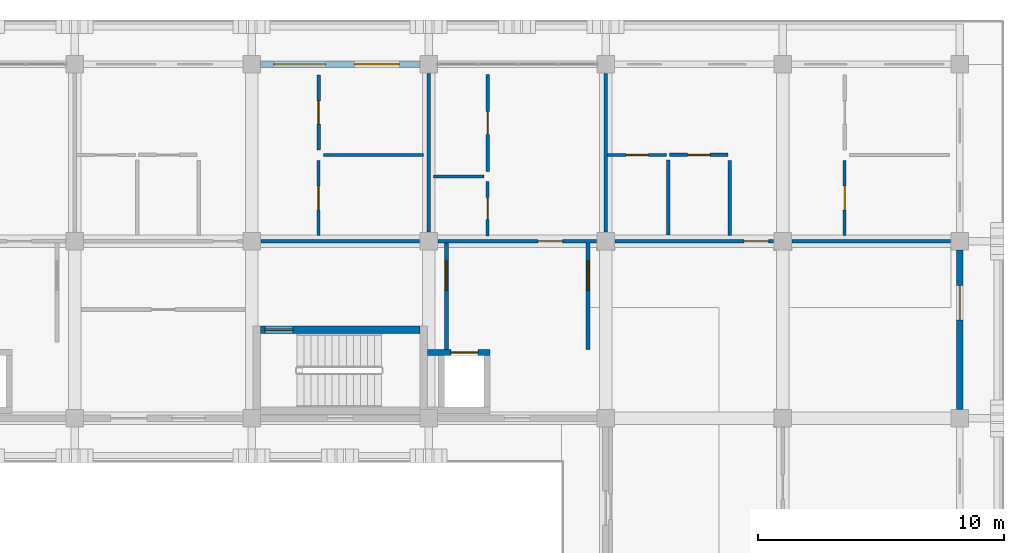
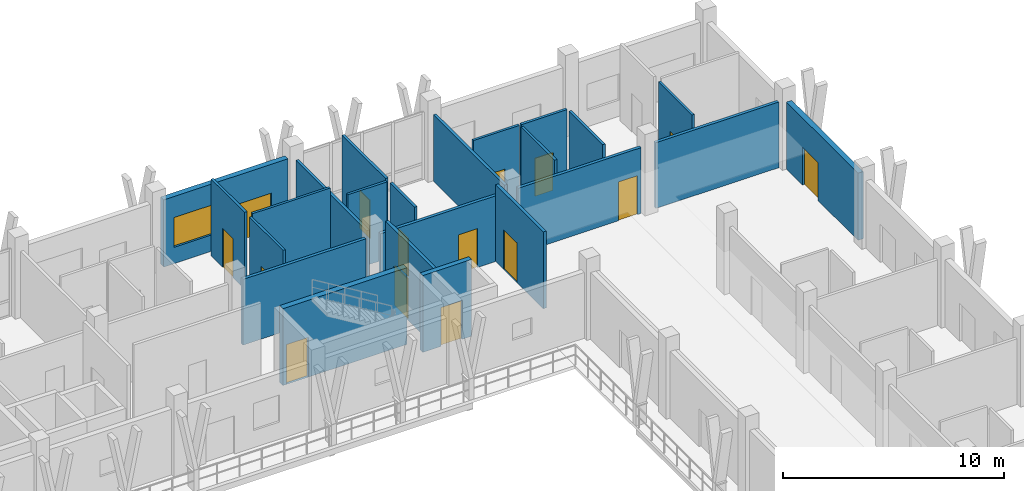
# One storey, part 90 of 110: 23 walls, 15 doors, 1 window, 16 openings.
"""IFC4 building model written with IfcOpenShell, lengths in metres."""

from ifc_helpers import new_model, si_unit, direction, frame, frame_2d, origin, place, context, subcontext, project, spatial, rectangle, extrude, material, layer, layer_set, type_object, element, fill, save


model = new_model("IFC4")

# Units and contexts
model_context = context("Model", 3, precision=1e-05, world=origin(), true_north=direction((0.0, 1.0)))
body_context = subcontext(model_context, "Body", "Model", "MODEL_VIEW")
ifc_project = project(units=[si_unit("LENGTHUNIT", "METRE"), si_unit("AREAUNIT", "SQUARE_METRE"), si_unit("VOLUMEUNIT", "CUBIC_METRE"), si_unit("PLANEANGLEUNIT", "RADIAN"), si_unit("MASSUNIT", "GRAM", prefix="KILO")], contexts=[model_context])

# Site, building, storey
site_placement = place(None, origin())
site = spatial("IfcSite", under=ifc_project, at=site_placement, CompositionType="ELEMENT")
building_placement = place(site_placement, origin())
building = spatial("IfcBuilding", under=site, at=building_placement, Name="Suanplinth Sawtooth Commons", CompositionType="ELEMENT")
storey_placement = place(building_placement, frame((0.0, 0.0, 4.5)))
storey = spatial("IfcBuildingStorey", under=building, at=storey_placement, Name="L01", CompositionType="ELEMENT", Elevation=4.5)

# Wall, opening, door
ifc_material_1 = material(Name="Concrete C40/50", Category="concrete")
ifc_layer_1 = layer(ifc_material_1, 0.300048828125, Name="Standard RC stair and lift core wall 300mm")
ifc_layer_set_1 = layer_set([ifc_layer_1], Name="Concrete C40/50")
wall_type_1 = type_object("IfcWallType", Name="W-CR02", PredefinedType="SHEAR", material=ifc_layer_set_1)
wall_1_placement = place(storey_placement, frame((158.75, 111.60009765625, 0.0), z_axis=(0.0, 0.0, 1.0), x_axis=(1.0, 0.0, 0.0)))
wall_1 = element("IfcWall", 1, at=wall_1_placement, inside=storey, type_object=wall_type_1, Name="W-L01-C-B2-STN", PredefinedType="SHEAR", context=body_context, shape_type="SweptSolid", body=[
    extrude(rectangle(XDim=6.5, YDim=0.300048828125, at=frame_2d((3.25, 0.0))), origin(), (0.0, 0.0, 1.0), 4.25),
])
opening_1_placement = place(wall_1_placement, frame((0.179931640625, 0.0, 0.0)))
opening_1 = element("IfcOpeningElement", 2, at=opening_1_placement, cuts=wall_1, Name="Opening FD0228", PredefinedType="OPENING", context=body_context, shape_type="SweptSolid", body=[
    extrude(rectangle(XDim=1.14990234375, YDim=2.199951171875, at=frame_2d((0.574951171875, 1.10009765625))), frame((0.0, 0.1650390625, 0.0), z_axis=(0.0, -1.0, 0.0), x_axis=(1.0, 0.0, 0.0)), (0.0, 0.0, 1.0), 0.329833984375),
])
ifc_material_2 = material(Name="Teak hardwood fire-rated door assembly", Category="wood")
door_type_1 = type_object("IfcDoorType", Name="FD-01", OperationType="NOTDEFINED", PredefinedType="DOOR", material=ifc_material_2)
door_1_placement = place(opening_1_placement, frame((1.14990234375, 0.0, 0.0), z_axis=(0.0, 0.0, 1.0), x_axis=(-1.0, 0.0, 0.0)))
door_1 = element("IfcDoor", 3, at=door_1_placement, inside=storey, type_object=door_type_1, Name="Exit Stair Fire Door FD0228", OperationType="SINGLE_SWING_LEFT", OverallHeight=2.199951171875, OverallWidth=1.14990234375, PredefinedType="DOOR", context=body_context, shape_type="SweptSolid", body=[
    extrude(rectangle(XDim=1.14990234375, YDim=2.199951171875, at=frame_2d((0.574951171875, 1.10009765625))), frame((0.0, 0.02490234375, 0.0), z_axis=(0.0, -1.0, 0.0), x_axis=(1.0, 0.0, 0.0)), (0.0, 0.0, 1.0), 0.050048828125),
])
fill(opening_1, door_1)

# Wall, openings, door, window
ifc_material_3 = material(Name="Precast concrete C40/50", Category="concrete")
ifc_layer_2 = layer(ifc_material_3, 0.280029296875, Name="Insulated precast architectural facade wall 280mm")
ifc_layer_set_2 = layer_set([ifc_layer_2], Name="Precast concrete C40/50")
wall_type_2 = type_object("IfcWallType", Name="W-EX01", PredefinedType="ELEMENTEDWALL", material=ifc_layer_set_2)
wall_2_placement = place(storey_placement, frame((158.75, 122.39990234375, 0.0), z_axis=(0.0, 0.0, 1.0), x_axis=(1.0, 0.0, 0.0)))
wall_2 = element("IfcWall", 4, at=wall_2_placement, inside=storey, type_object=wall_type_2, Name="Facade Wall W-L01-B-N-22-16", PredefinedType="ELEMENTEDWALL", context=body_context, shape_type="SweptSolid", body=[
    extrude(rectangle(XDim=6.5, YDim=0.280029296875, at=frame_2d((3.25, 0.0))), origin(), (0.0, 0.0, 1.0), 3.715087890625),
])
opening_2_placement = place(wall_2_placement, frame((3.85009765625, 0.0, 0.0)))
opening_2 = element("IfcOpeningElement", 5, at=opening_2_placement, cuts=wall_2, Name="Opening ED0073", PredefinedType="OPENING", context=body_context, shape_type="SweptSolid", body=[
    extrude(rectangle(XDim=1.800048828125, YDim=2.1201171875, at=frame_2d((0.89990234375, 1.06005859375))), frame((0.0, 0.15478515625, 0.0), z_axis=(0.0, -1.0, 0.0), x_axis=(1.0, 0.0, 0.0)), (0.0, 0.0, 1.0), 0.309814453125),
])
opening_3_placement = place(wall_2_placement, frame((0.550048828125, 0.0, 0.89990234375)))
opening_3 = element("IfcOpeningElement", 6, at=opening_3_placement, cuts=wall_2, Name="Opening W0198", PredefinedType="OPENING", context=body_context, shape_type="SweptSolid", body=[
    extrude(rectangle(XDim=2.10009765625, YDim=1.64990234375, at=frame_2d((1.050048828125, 0.824951171875))), frame((0.0, 0.15478515625, 0.0), z_axis=(0.0, -1.0, 0.0), x_axis=(1.0, 0.0, 0.0)), (0.0, 0.0, 1.0), 0.309814453125),
])
ifc_material_4 = material(Name="Anodized aluminium and low-E glass", Category="aluminium")
door_type_2 = type_object("IfcDoorType", Name="SD-01", OperationType="SLIDING_TO_LEFT", PredefinedType="DOOR", material=ifc_material_4)
door_2_placement = place(opening_2_placement, frame((1.800048828125, 0.0, 0.0), z_axis=(0.0, 0.0, 1.0), x_axis=(-1.0, 0.0, 0.0)))
door_2 = element("IfcDoor", 7, at=door_2_placement, inside=storey, type_object=door_type_2, Name="Balcony Sliding Door L01-B-22", OperationType="SLIDING_TO_LEFT", OverallHeight=2.1201171875, OverallWidth=1.800048828125, PredefinedType="DOOR", context=body_context, shape_type="SweptSolid", body=[
    extrude(rectangle(XDim=1.800048828125, YDim=2.1201171875, at=frame_2d((0.89990234375, 1.06005859375))), frame((0.0, 0.02490234375, 0.0), z_axis=(0.0, -1.0, 0.0), x_axis=(1.0, 0.0, 0.0)), (0.0, 0.0, 1.0), 0.050048828125),
])
fill(opening_2, door_2)
ifc_material_5 = material(Name="Thermally broken aluminium and low-E double glazing", Category="aluminium")
window_type = type_object("IfcWindowType", Name="WN-06", PartitioningType="DOUBLE_PANEL_VERTICAL", PredefinedType="WINDOW", material=ifc_material_5)
window_placement = place(opening_3_placement, origin())
window = element("IfcWindow", 8, at=window_placement, inside=storey, type_object=window_type, Name="Apartment Window L01-B-22", OverallHeight=1.64990234375, OverallWidth=2.10009765625, PartitioningType="DOUBLE_PANEL_VERTICAL", PredefinedType="WINDOW", context=body_context, shape_type="SweptSolid", body=[
    extrude(rectangle(XDim=2.10009765625, YDim=1.64990234375, at=frame_2d((1.050048828125, 0.824951171875))), frame((0.0, 0.030029296875, 0.0), z_axis=(0.0, -1.0, 0.0), x_axis=(1.0, 0.0, 0.0)), (0.0, 0.0, 1.0), 0.06005859375),
])
fill(opening_3, window)

# Wall, opening, door
wall_3_placement = place(storey_placement, frame((187.199951171875, 108.35009765625, 0.0), z_axis=(0.0, 0.0, 1.0), x_axis=(0.0, 1.0, 0.0)))
wall_3 = element("IfcWall", 9, at=wall_3_placement, inside=storey, type_object=wall_type_2, Name="Facade Wall W-L01-B-E-25-15", PredefinedType="ELEMENTEDWALL", context=body_context, shape_type="SweptSolid", body=[
    extrude(rectangle(XDim=6.5, YDim=0.280029296875, at=frame_2d((3.25, 0.0))), origin(), (0.0, 0.0, 1.0), 3.715087890625),
])
opening_4_placement = place(wall_3_placement, frame((3.64990234375, 0.0, 0.0)))
opening_4 = element("IfcOpeningElement", 10, at=opening_4_placement, cuts=wall_3, Name="Opening ED0084", PredefinedType="OPENING", context=body_context, shape_type="SweptSolid", body=[
    extrude(rectangle(XDim=1.39990234375, YDim=2.10009765625, at=frame_2d((0.699951171875, 1.050048828125))), frame((0.0, 0.15478515625, 0.0), z_axis=(0.0, -1.0, 0.0), x_axis=(1.0, 0.0, 0.0)), (0.0, 0.0, 1.0), 0.309814453125),
])
door_type_3 = type_object("IfcDoorType", Name="SD-07", OperationType="SLIDING_TO_RIGHT", PredefinedType="DOOR", material=ifc_material_4)
door_3_placement = place(opening_4_placement, frame((1.39990234375, 0.0, 0.0), z_axis=(0.0, 0.0, 1.0), x_axis=(-1.0, 0.0, 0.0)))
door_3 = element("IfcDoor", 11, at=door_3_placement, inside=storey, type_object=door_type_3, Name="End Balcony Sliding Door L01-B-E-25-15", OperationType="SLIDING_TO_RIGHT", OverallHeight=2.10009765625, OverallWidth=1.39990234375, PredefinedType="DOOR", context=body_context, shape_type="SweptSolid", body=[
    extrude(rectangle(XDim=1.39990234375, YDim=2.10009765625, at=frame_2d((0.699951171875, 1.050048828125))), frame((0.0, 0.02490234375, 0.0), z_axis=(0.0, -1.0, 0.0), x_axis=(1.0, 0.0, 0.0)), (0.0, 0.0, 1.0), 0.050048828125),
])
fill(opening_4, door_3)

ifc_layer_3 = layer(ifc_material_3, 0.159912109375, Name="Fire-rated corridor and lobby wall 160mm")
ifc_layer_set_3 = layer_set([ifc_layer_3], Name="Precast concrete C40/50")
wall_type_3 = type_object("IfcWallType", Name="W-FW01", PredefinedType="PARTITIONING", material=ifc_layer_set_3)
wall_4_placement = place(storey_placement, frame((166.320068359375, 110.800048828125, 0.0), z_axis=(0.0, 0.0, 1.0), x_axis=(0.0, 1.0, 0.0)))
wall_4 = element("IfcWall", 12, at=wall_4_placement, inside=storey, type_object=wall_type_3, Name="W-L01-C-B2-LOB-W", PredefinedType="PARTITIONING", context=body_context, shape_type="SweptSolid", body=[
    extrude(rectangle(XDim=4.320068359375, YDim=0.159912109375, at=frame_2d((2.16015625, 0.0))), origin(), (0.0, 0.0, 1.0), 4.25),
])
opening_5_placement = place(wall_4_placement, frame((2.39990234375, 0.0, 0.0)))
opening_5 = element("IfcOpeningElement", 13, at=opening_5_placement, cuts=wall_4, Name="Opening FD0229", PredefinedType="OPENING", context=body_context, shape_type="SweptSolid", body=[
    extrude(rectangle(XDim=1.199951171875, YDim=2.199951171875, at=frame_2d((0.60009765625, 1.10009765625))), frame((0.0, 0.0947265625, 0.0), z_axis=(0.0, -1.0, 0.0), x_axis=(1.0, 0.0, 0.0)), (0.0, 0.0, 1.0), 0.189697265625),
])
door_type_4 = type_object("IfcDoorType", Name="FD-02", OperationType="NOTDEFINED", PredefinedType="DOOR", material=ifc_material_2)
door_4_placement = place(opening_5_placement, origin())
door_4 = element("IfcDoor", 14, at=door_4_placement, inside=storey, type_object=door_type_4, Name="Lobby Fire Door FD0229", OperationType="SINGLE_SWING_RIGHT", OverallHeight=2.199951171875, OverallWidth=1.199951171875, PredefinedType="DOOR", context=body_context, shape_type="SweptSolid", body=[
    extrude(rectangle(XDim=1.199951171875, YDim=2.199951171875, at=frame_2d((0.60009765625, 1.10009765625))), frame((0.0, 0.02490234375, 0.0), z_axis=(0.0, -1.0, 0.0), x_axis=(1.0, 0.0, 0.0)), (0.0, 0.0, 1.0), 0.050048828125),
])
fill(opening_5, door_4)

wall_5_placement = place(storey_placement, frame((172.080078125, 110.800048828125, 0.0), z_axis=(0.0, 0.0, 1.0), x_axis=(0.0, 1.0, 0.0)))
wall_5 = element("IfcWall", 15, at=wall_5_placement, inside=storey, type_object=wall_type_3, Name="W-L01-C-B2-LOB-E", PredefinedType="PARTITIONING", context=body_context, shape_type="SweptSolid", body=[
    extrude(rectangle(XDim=4.320068359375, YDim=0.159912109375, at=frame_2d((2.16015625, 0.0))), origin(), (0.0, 0.0, 1.0), 4.25),
])
opening_6_placement = place(wall_5_placement, frame((2.39990234375, 0.0, 0.0)))
opening_6 = element("IfcOpeningElement", 16, at=opening_6_placement, cuts=wall_5, Name="Opening FD0230", PredefinedType="OPENING", context=body_context, shape_type="SweptSolid", body=[
    extrude(rectangle(XDim=1.199951171875, YDim=2.199951171875, at=frame_2d((0.60009765625, 1.10009765625))), frame((0.0, 0.0947265625, 0.0), z_axis=(0.0, -1.0, 0.0), x_axis=(1.0, 0.0, 0.0)), (0.0, 0.0, 1.0), 0.189697265625),
])
door_5_placement = place(opening_6_placement, frame((1.199951171875, 0.0, 0.0), z_axis=(0.0, 0.0, 1.0), x_axis=(-1.0, 0.0, 0.0)))
door_5 = element("IfcDoor", 17, at=door_5_placement, inside=storey, type_object=door_type_4, Name="Lobby Fire Door FD0230", OperationType="SINGLE_SWING_LEFT", OverallHeight=2.199951171875, OverallWidth=1.199951171875, PredefinedType="DOOR", context=body_context, shape_type="SweptSolid", body=[
    extrude(rectangle(XDim=1.199951171875, YDim=2.199951171875, at=frame_2d((0.60009765625, 1.10009765625))), frame((0.0, 0.02490234375, 0.0), z_axis=(0.0, -1.0, 0.0), x_axis=(1.0, 0.0, 0.0)), (0.0, 0.0, 1.0), 0.050048828125),
])
fill(opening_6, door_5)

# Wall
wall_6_placement = place(storey_placement, frame((158.780029296875, 115.199951171875, 0.0), z_axis=(0.0, 0.0, 1.0), x_axis=(1.0, 0.0, 0.0)))
element("IfcWall", 18, at=wall_6_placement, inside=storey, type_object=wall_type_3, Name="W-B-L01-U04-COR-S2", PredefinedType="PARTITIONING", context=body_context, shape_type="SweptSolid", body=[
    extrude(rectangle(XDim=6.43994140625, YDim=0.159912109375, at=frame_2d((3.219970703125, 0.0))), origin(), (0.0, 0.0, 1.0), 3.635009765625),
])

# Wall, opening, door
wall_7_placement = place(storey_placement, frame((165.97998046875, 115.199951171875, 0.0), z_axis=(0.0, 0.0, 1.0), x_axis=(1.0, 0.0, 0.0)))
wall_7 = element("IfcWall", 19, at=wall_7_placement, inside=storey, type_object=wall_type_3, Name="W-B-L01-U05-COR", PredefinedType="PARTITIONING", context=body_context, shape_type="SweptSolid", body=[
    extrude(rectangle(XDim=6.43994140625, YDim=0.159912109375, at=frame_2d((3.219970703125, 0.0))), origin(), (0.0, 0.0, 1.0), 3.635009765625),
])
opening_7_placement = place(wall_7_placement, frame((4.070068359375, 0.0, 0.0)))
opening_7 = element("IfcOpeningElement", 20, at=opening_7_placement, cuts=wall_7, Name="Opening FD0593", PredefinedType="OPENING", context=body_context, shape_type="SweptSolid", body=[
    extrude(rectangle(XDim=1.0, YDim=2.14990234375, at=frame_2d((0.5, 1.074951171875))), frame((0.0, 0.0947265625, 0.0), z_axis=(0.0, -1.0, 0.0), x_axis=(1.0, 0.0, 0.0)), (0.0, 0.0, 1.0), 0.189697265625),
])
door_type_5 = type_object("IfcDoorType", Name="FD-03", OperationType="NOTDEFINED", PredefinedType="DOOR", material=ifc_material_2)
door_6_placement = place(opening_7_placement, origin())
door_6 = element("IfcDoor", 21, at=door_6_placement, inside=storey, type_object=door_type_5, Name="Unit Entrance Door FD0593", OperationType="SINGLE_SWING_LEFT", OverallHeight=2.14990234375, OverallWidth=1.0, PredefinedType="DOOR", context=body_context, shape_type="SweptSolid", body=[
    extrude(rectangle(XDim=1.0, YDim=2.14990234375, at=frame_2d((0.5, 1.074951171875))), frame((0.0, 0.02490234375, 0.0), z_axis=(0.0, -1.0, 0.0), x_axis=(1.0, 0.0, 0.0)), (0.0, 0.0, 1.0), 0.050048828125),
])
fill(opening_7, door_6)

wall_8_placement = place(storey_placement, frame((173.179931640625, 115.199951171875, 0.0), z_axis=(0.0, 0.0, 1.0), x_axis=(1.0, 0.0, 0.0)))
wall_8 = element("IfcWall", 22, at=wall_8_placement, inside=storey, type_object=wall_type_3, Name="W-B-L01-U06-COR-S1", PredefinedType="PARTITIONING", context=body_context, shape_type="SweptSolid", body=[
    extrude(rectangle(XDim=6.440185546875, YDim=0.159912109375, at=frame_2d((3.22021484375, 0.0))), origin(), (0.0, 0.0, 1.0), 3.635009765625),
])
opening_8_placement = place(wall_8_placement, frame((5.25, 0.0, 0.0)))
opening_8 = element("IfcOpeningElement", 23, at=opening_8_placement, cuts=wall_8, Name="Opening FD0596", PredefinedType="OPENING", context=body_context, shape_type="SweptSolid", body=[
    extrude(rectangle(XDim=1.0, YDim=2.14990234375, at=frame_2d((0.5, 1.074951171875))), frame((0.0, 0.0947265625, 0.0), z_axis=(0.0, -1.0, 0.0), x_axis=(1.0, 0.0, 0.0)), (0.0, 0.0, 1.0), 0.189697265625),
])
door_7_placement = place(opening_8_placement, origin())
door_7 = element("IfcDoor", 24, at=door_7_placement, inside=storey, type_object=door_type_5, Name="Unit Entrance Door FD0596", OperationType="SINGLE_SWING_RIGHT", OverallHeight=2.14990234375, OverallWidth=1.0, PredefinedType="DOOR", context=body_context, shape_type="SweptSolid", body=[
    extrude(rectangle(XDim=1.0, YDim=2.14990234375, at=frame_2d((0.5, 1.074951171875))), frame((0.0, 0.02490234375, 0.0), z_axis=(0.0, -1.0, 0.0), x_axis=(1.0, 0.0, 0.0)), (0.0, 0.0, 1.0), 0.050048828125),
])
fill(opening_8, door_7)

# Walls
wall_9_placement = place(storey_placement, frame((180.3798828125, 115.199951171875, 0.0), z_axis=(0.0, 0.0, 1.0), x_axis=(1.0, 0.0, 0.0)))
element("IfcWall", 25, at=wall_9_placement, inside=storey, type_object=wall_type_3, Name="W-B-L01-U06-COR-S2", PredefinedType="PARTITIONING", context=body_context, shape_type="SweptSolid", body=[
    extrude(rectangle(XDim=6.440185546875, YDim=0.159912109375, at=frame_2d((3.22021484375, 0.0))), origin(), (0.0, 0.0, 1.0), 3.635009765625),
])
ifc_layer_4 = layer(ifc_material_3, 0.14990234375, Name="Acoustic precast party demising wall 150mm")
ifc_layer_set_4 = layer_set([ifc_layer_4], Name="Precast concrete C40/50")
wall_type_4 = type_object("IfcWallType", Name="W-FW02", PredefinedType="PARTITIONING", material=ifc_layer_set_4)
for number, where, z_axis, x_axis, name in (
    (26, (165.60009765625, 115.580078125, 0.0), (0.0, 0.0, 1.0), (0.0, 1.0, 0.0), "W-B-L01-U04-PTY"),
    (27, (172.800048828125, 115.580078125, 0.0), (0.0, 0.0, 1.0), (0.0, 1.0, 0.0), "W-B-L01-U05-PTY"),
):
    element("IfcWall", number, at=place(storey_placement, frame(where, z_axis=z_axis, x_axis=x_axis)), inside=storey, type_object=wall_type_4, Name=name, PredefinedType="PARTITIONING", context=body_context, shape_type="SweptSolid", body=[
        extrude(rectangle(XDim=6.43994140625, YDim=0.14990234375, at=frame_2d((3.219970703125, 0.0))), origin(), (0.0, 0.0, 1.0), 3.68505859375),
    ])

# Wall, opening, door
ifc_material_6 = material(Name="Gypsum plasterboard on steel stud", Category="steel")
ifc_layer_5 = layer(ifc_material_6, 0.139892578125, Name="Fire-rated kitchen partition 140mm")
ifc_layer_set_5 = layer_set([ifc_layer_5], Name="Gypsum plasterboard on steel stud")
wall_type_5 = type_object("IfcWallType", Name="W-PT01", PredefinedType="PARTITIONING", material=ifc_layer_set_5)
wall_10_placement = place(storey_placement, frame((167.9951171875, 118.0400390625, 0.0), z_axis=(0.0, 0.0, 1.0), x_axis=(0.0, 1.0, 0.0)))
wall_10 = element("IfcWall", 28, at=wall_10_placement, inside=storey, type_object=wall_type_5, Name="W-B-L01-U05-KITE", PredefinedType="PARTITIONING", context=body_context, shape_type="SweptSolid", body=[
    extrude(rectangle(XDim=3.93994140625, YDim=0.139892578125, at=frame_2d((1.969970703125, 0.0))), origin(), (0.0, 0.0, 1.0), 4.25),
])
opening_9_placement = place(wall_10_placement, frame((1.510009765625, 0.0, 0.0)))
opening_9 = element("IfcOpeningElement", 29, at=opening_9_placement, cuts=wall_10, Name="Opening D0595", PredefinedType="OPENING", context=body_context, shape_type="SweptSolid", body=[
    extrude(rectangle(XDim=0.919921875, YDim=2.10009765625, at=frame_2d((0.4599609375, 1.050048828125))), frame((0.0, 0.0849609375, 0.0), z_axis=(0.0, -1.0, 0.0), x_axis=(1.0, 0.0, 0.0)), (0.0, 0.0, 1.0), 0.169677734375),
])
ifc_material_7 = material(Name="Teak hardwood", Category="wood")
door_type_6 = type_object("IfcDoorType", Name="D-02", OperationType="NOTDEFINED", PredefinedType="DOOR", material=ifc_material_7)
door_8_placement = place(opening_9_placement, origin())
door_8 = element("IfcDoor", 30, at=door_8_placement, inside=storey, type_object=door_type_6, Name="Kitchen Door D0595", OperationType="SINGLE_SWING_LEFT", OverallHeight=2.10009765625, OverallWidth=0.919921875, PredefinedType="DOOR", context=body_context, shape_type="SweptSolid", body=[
    extrude(rectangle(XDim=0.919921875, YDim=2.10009765625, at=frame_2d((0.4599609375, 1.050048828125))), frame((0.0, 0.02490234375, 0.0), z_axis=(0.0, -1.0, 0.0), x_axis=(1.0, 0.0, 0.0)), (0.0, 0.0, 1.0), 0.050048828125),
])
fill(opening_9, door_8)

wall_11_placement = place(storey_placement, frame((175.39990234375, 118.7099609375, 0.0), z_axis=(0.0, 0.0, 1.0), x_axis=(1.0, 0.0, 0.0)))
wall_11 = element("IfcWall", 31, at=wall_11_placement, inside=storey, type_object=wall_type_5, Name="W-B-L01-U06-KIT1", PredefinedType="PARTITIONING", context=body_context, shape_type="SweptSolid", body=[
    extrude(rectangle(XDim=2.380126953125, YDim=0.139892578125, at=frame_2d((1.18994140625, 0.0))), origin(), (0.0, 0.0, 1.0), 4.25),
])
opening_10_placement = place(wall_11_placement, frame((0.72998046875, 0.0, 0.0)))
opening_10 = element("IfcOpeningElement", 32, at=opening_10_placement, cuts=wall_11, Name="Opening D0598", PredefinedType="OPENING", context=body_context, shape_type="SweptSolid", body=[
    extrude(rectangle(XDim=0.919921875, YDim=2.10009765625, at=frame_2d((0.4599609375, 1.050048828125))), frame((0.0, 0.0849609375, 0.0), z_axis=(0.0, -1.0, 0.0), x_axis=(1.0, 0.0, 0.0)), (0.0, 0.0, 1.0), 0.169677734375),
])
door_9_placement = place(opening_10_placement, frame((0.919921875, 0.0, 0.0), z_axis=(0.0, 0.0, 1.0), x_axis=(-1.0, 0.0, 0.0)))
door_9 = element("IfcDoor", 33, at=door_9_placement, inside=storey, type_object=door_type_6, Name="Kitchen Door D0598", OperationType="SINGLE_SWING_RIGHT", OverallHeight=2.10009765625, OverallWidth=0.919921875, PredefinedType="DOOR", context=body_context, shape_type="SweptSolid", body=[
    extrude(rectangle(XDim=0.919921875, YDim=2.10009765625, at=frame_2d((0.4599609375, 1.050048828125))), frame((0.0, 0.02490234375, 0.0), z_axis=(0.0, -1.0, 0.0), x_axis=(1.0, 0.0, 0.0)), (0.0, 0.0, 1.0), 0.050048828125),
])
fill(opening_10, door_9)

# Walls
wall_12_placement = place(storey_placement, frame((177.85009765625, 115.429931640625, 0.0), z_axis=(0.0, 0.0, 1.0), x_axis=(0.0, 1.0, 0.0)))
element("IfcWall", 34, at=wall_12_placement, inside=storey, type_object=wall_type_5, Name="W-B-L01-U06-KIT2", PredefinedType="PARTITIONING", context=body_context, shape_type="SweptSolid", body=[
    extrude(rectangle(XDim=3.06005859375, YDim=0.139892578125, at=frame_2d((1.530029296875, 0.0))), origin(), (0.0, 0.0, 1.0), 4.25),
])
ifc_layer_6 = layer(ifc_material_6, 0.1298828125, Name="Moisture-resistant bathroom partition 130mm")
ifc_layer_set_6 = layer_set([ifc_layer_6], Name="Gypsum plasterboard on steel stud")
wall_type_6 = type_object("IfcWallType", Name="W-PT02", PredefinedType="PARTITIONING", material=ifc_layer_set_6)
wall_13_placement = place(storey_placement, frame((165.800048828125, 117.840087890625, 0.0), z_axis=(0.0, 0.0, 1.0), x_axis=(1.0, 0.0, 0.0)))
element("IfcWall", 35, at=wall_13_placement, inside=storey, type_object=wall_type_6, Name="W-B-L01-U05-STDIV", PredefinedType="PARTITIONING", context=body_context, shape_type="SweptSolid", body=[
    extrude(rectangle(XDim=2.050048828125, YDim=0.1298828125, at=frame_2d((1.02490234375, 0.0))), origin(), (0.0, 0.0, 1.0), 4.25),
])

# Wall, opening, door
wall_14_placement = place(storey_placement, frame((167.9951171875, 115.419921875, 0.0), z_axis=(0.0, 0.0, 1.0), x_axis=(0.0, 1.0, 0.0)))
wall_14 = element("IfcWall", 36, at=wall_14_placement, inside=storey, type_object=wall_type_6, Name="W-B-L01-U05-BTHE", PredefinedType="PARTITIONING", context=body_context, shape_type="SweptSolid", body=[
    extrude(rectangle(XDim=2.219970703125, YDim=0.1298828125, at=frame_2d((1.10986328125, 0.0))), origin(), (0.0, 0.0, 1.0), 4.25),
])
opening_11_placement = place(wall_14_placement, frame((0.669921875, 0.0, 0.0)))
opening_11 = element("IfcOpeningElement", 37, at=opening_11_placement, cuts=wall_14, Name="Opening D0594", PredefinedType="OPENING", context=body_context, shape_type="SweptSolid", body=[
    extrude(rectangle(XDim=0.8798828125, YDim=2.10009765625, at=frame_2d((0.43994140625, 1.050048828125))), frame((0.0, 0.079833984375, 0.0), z_axis=(0.0, -1.0, 0.0), x_axis=(1.0, 0.0, 0.0)), (0.0, 0.0, 1.0), 0.15966796875),
])
door_type_7 = type_object("IfcDoorType", Name="D-14", OperationType="NOTDEFINED", PredefinedType="DOOR", material=ifc_material_7)
door_10_placement = place(opening_11_placement, origin())
door_10 = element("IfcDoor", 38, at=door_10_placement, inside=storey, type_object=door_type_7, Name="Bathroom Door D0594", OperationType="SINGLE_SWING_RIGHT", OverallHeight=2.10009765625, OverallWidth=0.8798828125, PredefinedType="DOOR", context=body_context, shape_type="SweptSolid", body=[
    extrude(rectangle(XDim=0.8798828125, YDim=2.10009765625, at=frame_2d((0.43994140625, 1.050048828125))), frame((0.0, 0.02490234375, 0.0), z_axis=(0.0, -1.0, 0.0), x_axis=(1.0, 0.0, 0.0)), (0.0, 0.0, 1.0), 0.050048828125),
])
fill(opening_11, door_10)

wall_15_placement = place(storey_placement, frame((172.8798828125, 118.705078125, 0.0), z_axis=(0.0, 0.0, 1.0), x_axis=(1.0, 0.0, 0.0)))
wall_15 = element("IfcWall", 39, at=wall_15_placement, inside=storey, type_object=wall_type_6, Name="W-B-L01-U06-BTH1", PredefinedType="PARTITIONING", context=body_context, shape_type="SweptSolid", body=[
    extrude(rectangle(XDim=2.400146484375, YDim=0.1298828125, at=frame_2d((1.2001953125, 0.0))), origin(), (0.0, 0.0, 1.0), 4.25),
])
opening_12_placement = place(wall_15_placement, frame((0.75, 0.0, 0.0)))
opening_12 = element("IfcOpeningElement", 40, at=opening_12_placement, cuts=wall_15, Name="Opening D0597", PredefinedType="OPENING", context=body_context, shape_type="SweptSolid", body=[
    extrude(rectangle(XDim=0.89990234375, YDim=2.10009765625, at=frame_2d((0.449951171875, 1.050048828125))), frame((0.0, 0.079833984375, 0.0), z_axis=(0.0, -1.0, 0.0), x_axis=(1.0, 0.0, 0.0)), (0.0, 0.0, 1.0), 0.15966796875),
])
door_type_8 = type_object("IfcDoorType", Name="D-01", OperationType="NOTDEFINED", PredefinedType="DOOR", material=ifc_material_7)
door_11_placement = place(opening_12_placement, frame((0.89990234375, 0.0, 0.0), z_axis=(0.0, 0.0, 1.0), x_axis=(-1.0, 0.0, 0.0)))
door_11 = element("IfcDoor", 41, at=door_11_placement, inside=storey, type_object=door_type_8, Name="Bathroom Door D0597", OperationType="SINGLE_SWING_LEFT", OverallHeight=2.10009765625, OverallWidth=0.89990234375, PredefinedType="DOOR", context=body_context, shape_type="SweptSolid", body=[
    extrude(rectangle(XDim=0.89990234375, YDim=2.10009765625, at=frame_2d((0.449951171875, 1.050048828125))), frame((0.0, 0.02490234375, 0.0), z_axis=(0.0, -1.0, 0.0), x_axis=(1.0, 0.0, 0.0)), (0.0, 0.0, 1.0), 0.050048828125),
])
fill(opening_12, door_11)

# Wall
wall_16_placement = place(storey_placement, frame((175.344970703125, 115.4599609375, 0.0), z_axis=(0.0, 0.0, 1.0), x_axis=(0.0, 1.0, 0.0)))
element("IfcWall", 42, at=wall_16_placement, inside=storey, type_object=wall_type_6, Name="W-B-L01-U06-BTH2", PredefinedType="PARTITIONING", context=body_context, shape_type="SweptSolid", body=[
    extrude(rectangle(XDim=3.0400390625, YDim=0.1298828125, at=frame_2d((1.52001953125, 0.0))), origin(), (0.0, 0.0, 1.0), 4.25),
])

# Wall, opening, door
ifc_layer_7 = layer(ifc_material_6, 0.1201171875, Name="Acoustic bedroom partition 120mm")
ifc_layer_set_7 = layer_set([ifc_layer_7], Name="Gypsum plasterboard on steel stud")
wall_type_7 = type_object("IfcWallType", Name="W-PT03", PredefinedType="PARTITIONING", material=ifc_layer_set_7)
wall_17_placement = place(storey_placement, frame((161.1201171875, 115.43994140625, 0.0), z_axis=(0.0, 0.0, 1.0), x_axis=(0.0, 1.0, 0.0)))
wall_17 = element("IfcWall", 43, at=wall_17_placement, inside=storey, type_object=wall_type_7, Name="W-B-L01-U04-BED2", PredefinedType="PARTITIONING", context=body_context, shape_type="SweptSolid", body=[
    extrude(rectangle(XDim=3.0400390625, YDim=0.1201171875, at=frame_2d((1.52001953125, 0.0))), origin(), (0.0, 0.0, 1.0), 4.25),
])
opening_13_placement = place(wall_17_placement, frame((1.0400390625, 0.0, 0.0)))
opening_13 = element("IfcOpeningElement", 44, at=opening_13_placement, cuts=wall_17, Name="Opening D0592", PredefinedType="OPENING", context=body_context, shape_type="SweptSolid", body=[
    extrude(rectangle(XDim=0.9599609375, YDim=2.14990234375, at=frame_2d((0.47998046875, 1.074951171875))), frame((0.0, 0.074951171875, 0.0), z_axis=(0.0, -1.0, 0.0), x_axis=(1.0, 0.0, 0.0)), (0.0, 0.0, 1.0), 0.14990234375),
])
door_type_9 = type_object("IfcDoorType", Name="D-13", OperationType="NOTDEFINED", PredefinedType="DOOR", material=ifc_material_7)
door_12_placement = place(opening_13_placement, frame((0.9599609375, 0.0, 0.0), z_axis=(0.0, 0.0, 1.0), x_axis=(-1.0, 0.0, 0.0)))
door_12 = element("IfcDoor", 45, at=door_12_placement, inside=storey, type_object=door_type_9, Name="Second Bedroom Door D0592", OperationType="SINGLE_SWING_RIGHT", OverallHeight=2.14990234375, OverallWidth=0.9599609375, PredefinedType="DOOR", context=body_context, shape_type="SweptSolid", body=[
    extrude(rectangle(XDim=0.9599609375, YDim=2.14990234375, at=frame_2d((0.47998046875, 1.074951171875))), frame((0.0, 0.02490234375, 0.0), z_axis=(0.0, -1.0, 0.0), x_axis=(1.0, 0.0, 0.0)), (0.0, 0.0, 1.0), 0.050048828125),
])
fill(opening_13, door_12)

wall_18_placement = place(storey_placement, frame((182.52001953125, 115.43994140625, 0.0), z_axis=(0.0, 0.0, 1.0), x_axis=(0.0, 1.0, 0.0)))
wall_18 = element("IfcWall", 46, at=wall_18_placement, inside=storey, type_object=wall_type_7, Name="W-B-L01-U06-BED2", PredefinedType="PARTITIONING", context=body_context, shape_type="SweptSolid", body=[
    extrude(rectangle(XDim=3.0400390625, YDim=0.1201171875, at=frame_2d((1.52001953125, 0.0))), origin(), (0.0, 0.0, 1.0), 4.25),
])
opening_14_placement = place(wall_18_placement, frame((1.0400390625, 0.0, 0.0)))
opening_14 = element("IfcOpeningElement", 47, at=opening_14_placement, cuts=wall_18, Name="Opening D0600", PredefinedType="OPENING", context=body_context, shape_type="SweptSolid", body=[
    extrude(rectangle(XDim=0.9599609375, YDim=2.14990234375, at=frame_2d((0.47998046875, 1.074951171875))), frame((0.0, 0.074951171875, 0.0), z_axis=(0.0, -1.0, 0.0), x_axis=(1.0, 0.0, 0.0)), (0.0, 0.0, 1.0), 0.14990234375),
])
door_13_placement = place(opening_14_placement, frame((0.9599609375, 0.0, 0.0), z_axis=(0.0, 0.0, 1.0), x_axis=(-1.0, 0.0, 0.0)))
door_13 = element("IfcDoor", 48, at=door_13_placement, inside=storey, type_object=door_type_9, Name="Second Bedroom Door D0600", OperationType="SINGLE_SWING_RIGHT", OverallHeight=2.14990234375, OverallWidth=0.9599609375, PredefinedType="DOOR", context=body_context, shape_type="SweptSolid", body=[
    extrude(rectangle(XDim=0.9599609375, YDim=2.14990234375, at=frame_2d((0.47998046875, 1.074951171875))), frame((0.0, 0.02490234375, 0.0), z_axis=(0.0, -1.0, 0.0), x_axis=(1.0, 0.0, 0.0)), (0.0, 0.0, 1.0), 0.050048828125),
])
fill(opening_14, door_13)

# Wall
ifc_layer_8 = layer(ifc_material_6, 0.125, Name="Acoustic study partition 125mm")
ifc_layer_set_8 = layer_set([ifc_layer_8], Name="Gypsum plasterboard on steel stud")
wall_type_8 = type_object("IfcWallType", Name="W-PT06", PredefinedType="PARTITIONING", material=ifc_layer_set_8)
wall_19_placement = place(storey_placement, frame((161.320068359375, 118.699951171875, 0.0), z_axis=(0.0, 0.0, 1.0), x_axis=(1.0, 0.0, 0.0)))
element("IfcWall", 49, at=wall_19_placement, inside=storey, type_object=wall_type_8, Name="W-B-L01-U04-BEDDIV", PredefinedType="PARTITIONING", context=body_context, shape_type="SweptSolid", body=[
    extrude(rectangle(XDim=4.059814453125, YDim=0.125, at=frame_2d((2.02978515625, 0.0))), origin(), (0.0, 0.0, 1.0), 4.25),
])

# Wall, opening, door
ifc_layer_9 = layer(ifc_material_6, 0.135009765625, Name="Insulated bedroom demising partition 135mm")
ifc_layer_set_9 = layer_set([ifc_layer_9], Name="Gypsum plasterboard on steel stud")
wall_type_9 = type_object("IfcWallType", Name="W-PT07", PredefinedType="PARTITIONING", material=ifc_layer_set_9)
wall_20_placement = place(storey_placement, frame((161.1201171875, 118.919921875, 0.0), z_axis=(0.0, 0.0, 1.0), x_axis=(0.0, 1.0, 0.0)))
wall_20 = element("IfcWall", 50, at=wall_20_placement, inside=storey, type_object=wall_type_9, Name="W-B-L01-U04-BED1", PredefinedType="PARTITIONING", context=body_context, shape_type="SweptSolid", body=[
    extrude(rectangle(XDim=3.0400390625, YDim=0.135009765625, at=frame_2d((1.52001953125, 0.0))), origin(), (0.0, 0.0, 1.0), 4.25),
])
opening_15_placement = place(wall_20_placement, frame((1.044921875, 0.0, 0.0)))
opening_15 = element("IfcOpeningElement", 51, at=opening_15_placement, cuts=wall_20, Name="Opening D0591", PredefinedType="OPENING", context=body_context, shape_type="SweptSolid", body=[
    extrude(rectangle(XDim=0.949951171875, YDim=2.14990234375, at=frame_2d((0.47509765625, 1.074951171875))), frame((0.0, 0.08251953125, 0.0), z_axis=(0.0, -1.0, 0.0), x_axis=(1.0, 0.0, 0.0)), (0.0, 0.0, 1.0), 0.164794921875),
])
door_type_10 = type_object("IfcDoorType", Name="D-03", OperationType="NOTDEFINED", PredefinedType="DOOR", material=ifc_material_7)
door_14_placement = place(opening_15_placement, frame((0.949951171875, 0.0, 0.0), z_axis=(0.0, 0.0, 1.0), x_axis=(-1.0, 0.0, 0.0)))
door_14 = element("IfcDoor", 52, at=door_14_placement, inside=storey, type_object=door_type_10, Name="Bedroom Door D0591", OperationType="SINGLE_SWING_LEFT", OverallHeight=2.14990234375, OverallWidth=0.949951171875, PredefinedType="DOOR", context=body_context, shape_type="SweptSolid", body=[
    extrude(rectangle(XDim=0.949951171875, YDim=2.14990234375, at=frame_2d((0.47509765625, 1.074951171875))), frame((0.0, 0.02490234375, 0.0), z_axis=(0.0, -1.0, 0.0), x_axis=(1.0, 0.0, 0.0)), (0.0, 0.0, 1.0), 0.050048828125),
])
fill(opening_15, door_14)

ifc_layer_10 = layer(ifc_material_3, 0.25, Name="Precast structural shear wall 250mm")
ifc_layer_set_10 = layer_set([ifc_layer_10], Name="Precast concrete C40/50")
wall_type_10 = type_object("IfcWallType", Name="W-SH01", PredefinedType="SHEAR", material=ifc_layer_set_10)
wall_21_placement = place(storey_placement, frame((165.550048828125, 110.675048828125, 0.0), z_axis=(0.0, 0.0, 1.0), x_axis=(1.0, 0.0, 0.0)))
wall_21 = element("IfcWall", 53, at=wall_21_placement, inside=storey, type_object=wall_type_10, Name="W-L01-LF4-N", PredefinedType="SHEAR", context=body_context, shape_type="SweptSolid", body=[
    extrude(rectangle(XDim=2.550048828125, YDim=0.25, at=frame_2d((1.27490234375, 0.0))), origin(), (0.0, 0.0, 1.0), 4.25),
])
opening_16_placement = place(wall_21_placement, frame((0.949951171875, 0.0, 0.0)))
opening_16 = element("IfcOpeningElement", 54, at=opening_16_placement, cuts=wall_21, Name="Opening LD0231", PredefinedType="OPENING", context=body_context, shape_type="SweptSolid", body=[
    extrude(rectangle(XDim=1.10009765625, YDim=2.14990234375, at=frame_2d((0.550048828125, 1.074951171875))), frame((0.0, 0.139892578125, 0.0), z_axis=(0.0, -1.0, 0.0), x_axis=(1.0, 0.0, 0.0)), (0.0, 0.0, 1.0), 0.27978515625),
])
ifc_material_8 = material(Name="Stainless steel Grade 304", Category="steel")
door_type_11 = type_object("IfcDoorType", Name="LD-01", OperationType="SLIDING_TO_LEFT", PredefinedType="DOOR", material=ifc_material_8)
door_15_placement = place(opening_16_placement, origin())
door_15 = element("IfcDoor", 55, at=door_15_placement, inside=storey, type_object=door_type_11, Name="Lift Landing Sliding Door LF4 L01", OperationType="SLIDING_TO_LEFT", OverallHeight=2.14990234375, OverallWidth=1.10009765625, PredefinedType="DOOR", context=body_context, shape_type="SweptSolid", body=[
    extrude(rectangle(XDim=1.10009765625, YDim=2.14990234375, at=frame_2d((0.550048828125, 1.074951171875))), frame((0.0, 0.02490234375, 0.0), z_axis=(0.0, -1.0, 0.0), x_axis=(1.0, 0.0, 0.0)), (0.0, 0.0, 1.0), 0.050048828125),
])
fill(opening_16, door_15)

save(model, "model.ifc")
